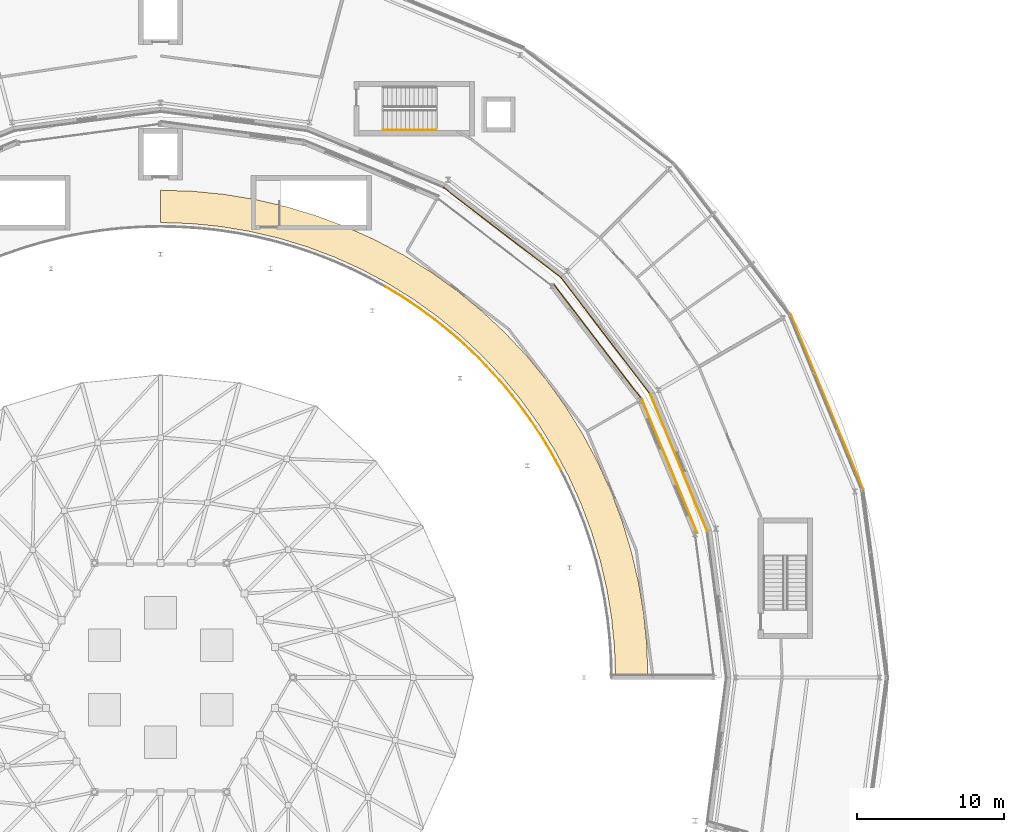
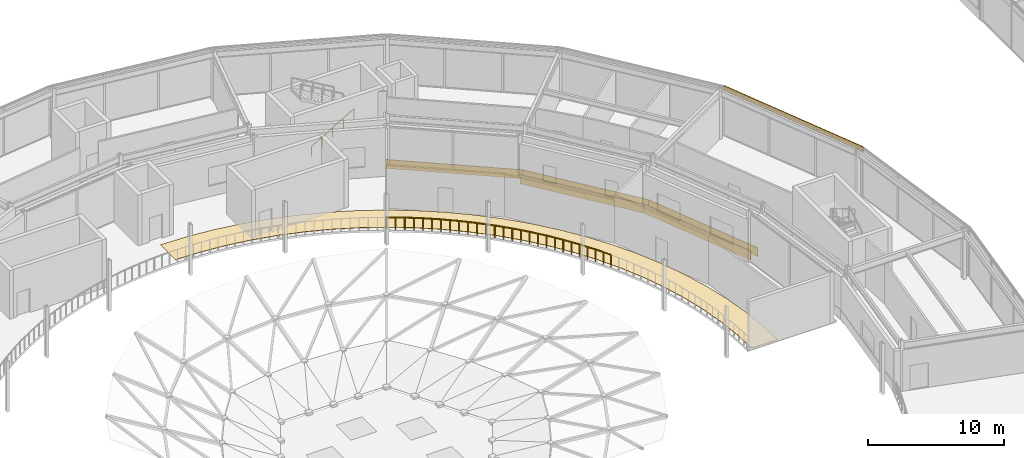
# One storey, part 110 of 116: 14 railings, 7 coverings.
"""IFC4 building model written with IfcOpenShell, lengths in metres."""

from ifc_helpers import new_model, si_unit, direction, frame, origin, origin_2d, place, context, subcontext, project, spatial, polyline, rectangle, circle, outline, extrude, material, layer, layer_set, type_object, element, save


model = new_model("IFC4")

# Units and contexts
model_context = context("Model", 3, precision=1e-05, world=origin(), true_north=direction((0.0, 1.0)))
body_context = subcontext(model_context, "Body", "Model", "MODEL_VIEW")
ifc_project = project(units=[si_unit("LENGTHUNIT", "METRE"), si_unit("AREAUNIT", "SQUARE_METRE"), si_unit("VOLUMEUNIT", "CUBIC_METRE"), si_unit("PLANEANGLEUNIT", "RADIAN"), si_unit("MASSUNIT", "GRAM", prefix="KILO")], contexts=[model_context])

# Site, building, storey
site_placement = place(None, origin())
site = spatial("IfcSite", under=ifc_project, at=site_placement, CompositionType="ELEMENT")
building_placement = place(site_placement, origin())
building = spatial("IfcBuilding", under=site, at=building_placement, Name="Almandine Court Research Institute", CompositionType="ELEMENT")
storey_placement = place(building_placement, frame((0.0, 0.0, 14.35009765625)))
storey = spatial("IfcBuildingStorey", under=building, at=storey_placement, Name="L03", CompositionType="ELEMENT", Elevation=14.35009765625)

# Coverings
ifc_material_1 = material(Name="Extruded Cream-Ochre Seismic Terracotta Spandrel", Category="masonry")
ifc_layer_1 = layer(ifc_material_1, 0.054931640625)
ifc_layer_set_1 = layer_set([ifc_layer_1], Name="Extruded Cream-Ochre Seismic Terracotta Spandrel")
covering_type_1 = type_object("IfcCoveringType", Name="Cov-CLAD-TERR", PredefinedType="CLADDING", material=ifc_layer_set_1)
covering_1_placement = place(storey_placement, frame((132.323974609375, 74.77392578125, 3.97998046875), z_axis=(0.0, 0.0, 1.0), x_axis=(0.382683432365, -0.923879532511, 0.0)))
element("IfcCovering", 1, at=covering_1_placement, inside=storey, type_object=covering_type_1, Name="L03 Drum Stacked Terracotta Ring Band 01", PredefinedType="CLADDING", context=body_context, shape_type="SweptSolid", body=[
    extrude(rectangle(XDim=12.8779296875, YDim=0.054931640625, at=origin_2d()), origin(), (0.0, 0.0, 1.0), 0.419921875),
])
for number, where, z_axis, x_axis, name in (
    (2, (122.25390625, 70.60302734375, 0.02001953125), (0.0, 0.0, 1.0), (-0.382683432365, 0.923879532511, 0.0), "L03 Facade Spandrel Cladding Band 377"),
    (3, (117.27392578125, 79.22998046875, 0.02001953125), (0.0, 0.0, 1.0), (-0.608761429009, 0.793353340291, 0.0), "L03 Facade Spandrel Cladding Band 379"),
    (4, (110.22998046875, 86.27392578125, 0.02001953125), (0.0, 0.0, 1.0), (-0.793353340291, 0.608761429009, 0.0), "L03 Facade Spandrel Cladding Band 381"),
):
    element("IfcCovering", number, at=place(storey_placement, frame(where, z_axis=z_axis, x_axis=x_axis)), inside=storey, type_object=covering_type_1, Name=name, PredefinedType="CLADDING", context=body_context, shape_type="SweptSolid", body=[
        extrude(rectangle(XDim=10.080078125, YDim=0.054931640625, at=origin_2d()), origin(), (0.0, 0.0, 1.0), 0.800048828125),
    ])
covering_2_placement = place(storey_placement, frame((121.64404296875, 70.35009765625, 0.02001953125), z_axis=(0.0, 0.0, 1.0), x_axis=(0.382683432365, -0.923879532511, 0.0)))
element("IfcCovering", 5, at=covering_2_placement, inside=storey, type_object=covering_type_1, Name="L03 Facade Spandrel Cladding Band 464", PredefinedType="CLADDING", context=body_context, shape_type="SweptSolid", body=[
    extrude(rectangle(XDim=9.821044921875, YDim=0.054931640625, at=origin_2d()), origin(), (0.0, 0.0, 1.0), 0.800048828125),
])
covering_3_placement = place(storey_placement, frame((116.7490234375, 78.826904296875, 0.02001953125), z_axis=(0.0, 0.0, 1.0), x_axis=(0.608761429009, -0.793353340291, 0.0)))
element("IfcCovering", 6, at=covering_3_placement, inside=storey, type_object=covering_type_1, Name="L03 Facade Spandrel Cladding Band 465", PredefinedType="CLADDING", context=body_context, shape_type="SweptSolid", body=[
    extrude(rectangle(XDim=9.820068359375, YDim=0.054931640625, at=origin_2d()), origin(), (0.0, 0.0, 1.0), 0.800048828125),
])
ifc_material_2 = material(Name="Honed Andean Basalt Atrium Stone Flooring", Category="masonry")
ifc_layer_2 = layer(ifc_material_2, 0.02001953125)
ifc_layer_set_2 = layer_set([ifc_layer_2], Name="Honed Andean Basalt Atrium Stone Flooring")
covering_type_2 = type_object("IfcCoveringType", Name="Cov-FLR-STONE", PredefinedType="FLOORING", material=ifc_layer_set_2)
covering_4_placement = place(storey_placement, origin())
element("IfcCovering", 7, at=covering_4_placement, inside=storey, type_object=covering_type_2, Name="L03 Atrium Promenade Basalt Stone Flooring", PredefinedType="FLOORING", context=body_context, shape_type="SweptSolid", body=[
    extrude(outline(polyline([(120.14990234375, 56.0), (120.0791015625, 58.16796875), (119.865966796875, 60.326904296875), (119.512939453125, 62.467041015625), (119.02001953125, 64.580078125), (118.39111328125, 66.656005859375), (117.626953125, 68.68603515625), (116.73095703125, 70.662109375), (115.708984375, 72.574951171875), (114.56298828125, 74.4169921875), (113.300048828125, 76.179931640625), (111.923095703125, 77.85693359375), (110.44091796875, 79.44091796875), (108.85693359375, 80.923095703125), (107.179931640625, 82.300048828125), (105.4169921875, 83.56298828125), (103.574951171875, 84.708984375), (101.662109375, 85.73095703125), (99.68603515625, 86.626953125), (97.656005859375, 87.39111328125), (95.580078125, 88.02001953125), (93.467041015625, 88.512939453125), (91.326904296875, 88.865966796875), (89.16796875, 89.0791015625), (87.0, 89.14990234375), (87.0, 86.949951171875), (89.02392578125, 86.884033203125), (91.0400390625, 86.68505859375), (93.0380859375, 86.35498046875), (95.010009765625, 85.89501953125), (96.948974609375, 85.306884765625), (98.843994140625, 84.593994140625), (100.68896484375, 83.758056640625), (102.47509765625, 82.802978515625), (104.195068359375, 81.73388671875), (105.841064453125, 80.553955078125), (107.406982421875, 79.26904296875), (108.885009765625, 77.885009765625), (110.26904296875, 76.406982421875), (111.553955078125, 74.841064453125), (112.73388671875, 73.195068359375), (113.802978515625, 71.47509765625), (114.758056640625, 69.68896484375), (115.593994140625, 67.843994140625), (116.306884765625, 65.948974609375), (116.89501953125, 64.010009765625), (117.35498046875, 62.0380859375), (117.68505859375, 60.0400390625), (117.884033203125, 58.02392578125), (117.949951171875, 56.0), (120.14990234375, 56.0)])), origin(), (0.0, 0.0, 1.0), 0.02001953125),
])

# Railings
ifc_material_3 = material(Name="Powder-Coated Steel Stair and Atrium Balustrade", Category="steel")
railing_type_1 = type_object("IfcRailingType", Name="Rail-GUARD-INT", PredefinedType="BALUSTRADE", material=ifc_material_3)
railing_1_placement = place(storey_placement, frame((114.212890625, 70.166015625, 0.0)))
element("IfcRailing", 8, at=railing_1_placement, inside=storey, type_object=railing_type_1, Name="L03 Atrium Gallery Void Balustrade 012", PredefinedType="BALUSTRADE", context=body_context, shape_type="SweptSolid", body=[
    extrude(circle(Radius=0.02392578125, at=origin_2d()), frame((0.0, 0.0, 1.09619140625), z_axis=(-0.480244463517, 0.87713468479, 0.0), x_axis=(-0.87713468479, -0.480244463517, 0.0)), (0.0, 0.0, 1.0), 1.338623046875),
    extrude(circle(Radius=0.02099609375, at=origin_2d()), origin(), (0.0, 0.0, 1.0), 1.072021484375),
    extrude(circle(Radius=0.02099609375, at=origin_2d()), frame((-0.3212890625, 0.5869140625, 0.0)), (0.0, 0.0, 1.0), 1.072021484375),
    extrude(circle(Radius=0.02099609375, at=origin_2d()), frame((-0.642822265625, 1.174072265625, 0.0)), (0.0, 0.0, 1.0), 1.072021484375),
])
railing_2_placement = place(storey_placement, frame((113.570068359375, 71.340087890625, 0.0)))
element("IfcRailing", 9, at=railing_2_placement, inside=storey, type_object=railing_type_1, Name="L03 Atrium Gallery Void Balustrade 013", PredefinedType="BALUSTRADE", context=body_context, shape_type="SweptSolid", body=[
    extrude(circle(Radius=0.02392578125, at=origin_2d()), frame((0.0, 0.0, 1.09619140625), z_axis=(-0.519316050282, 0.854582260475, 0.0), x_axis=(-0.854582260475, -0.519316050282, 0.0)), (0.0, 0.0, 1.0), 1.33837890625),
    extrude(circle(Radius=0.02099609375, at=origin_2d()), origin(), (0.0, 0.0, 1.0), 1.072021484375),
    extrude(circle(Radius=0.02099609375, at=origin_2d()), frame((-0.34765625, 0.57177734375, 0.0)), (0.0, 0.0, 1.0), 1.072021484375),
    extrude(circle(Radius=0.02099609375, at=origin_2d()), frame((-0.695068359375, 1.143798828125, 0.0)), (0.0, 0.0, 1.0), 1.072021484375),
])
railing_3_placement = place(storey_placement, frame((112.875, 72.48388671875, 0.0)))
element("IfcRailing", 10, at=railing_3_placement, inside=storey, type_object=railing_type_1, Name="L03 Atrium Gallery Void Balustrade 014", PredefinedType="BALUSTRADE", context=body_context, shape_type="SweptSolid", body=[
    extrude(circle(Radius=0.02392578125, at=origin_2d()), frame((0.0, 0.0, 1.09619140625), z_axis=(-0.555163225812, 0.831741421781, 0.0), x_axis=(-0.831741421781, -0.555163225812, 0.0)), (0.0, 0.0, 1.0), 1.338134765625),
    extrude(circle(Radius=0.02099609375, at=origin_2d()), origin(), (0.0, 0.0, 1.0), 1.072021484375),
    extrude(circle(Radius=0.02099609375, at=origin_2d()), frame((-0.37158203125, 0.556640625, 0.0)), (0.0, 0.0, 1.0), 1.072021484375),
    extrude(circle(Radius=0.02099609375, at=origin_2d()), frame((-0.742919921875, 1.113037109375, 0.0)), (0.0, 0.0, 1.0), 1.072021484375),
])
railing_4_placement = place(storey_placement, frame((112.132080078125, 73.596923828125, 0.0)))
element("IfcRailing", 11, at=railing_4_placement, inside=storey, type_object=railing_type_1, Name="L03 Atrium Gallery Void Balustrade 015", PredefinedType="BALUSTRADE", context=body_context, shape_type="SweptSolid", body=[
    extrude(circle(Radius=0.02392578125, at=origin_2d()), frame((0.0, 0.0, 1.09619140625), z_axis=(-0.591332053084, 0.806428175969, 0.0), x_axis=(-0.806428175969, -0.591332053084, 0.0)), (0.0, 0.0, 1.0), 1.33935546875),
    extrude(circle(Radius=0.02099609375, at=origin_2d()), origin(), (0.0, 0.0, 1.0), 1.072021484375),
    extrude(circle(Radius=0.02099609375, at=origin_2d()), frame((-0.39599609375, 0.5400390625, 0.0)), (0.0, 0.0, 1.0), 1.072021484375),
    extrude(circle(Radius=0.02099609375, at=origin_2d()), frame((-0.7919921875, 1.080078125, 0.0)), (0.0, 0.0, 1.0), 1.072021484375),
])
railing_5_placement = place(storey_placement, frame((111.340087890625, 74.677001953125, 0.0)))
element("IfcRailing", 12, at=railing_5_placement, inside=storey, type_object=railing_type_1, Name="L03 Atrium Gallery Void Balustrade 016", PredefinedType="BALUSTRADE", context=body_context, shape_type="SweptSolid", body=[
    extrude(circle(Radius=0.02392578125, at=origin_2d()), frame((0.0, 0.0, 1.09619140625), z_axis=(-0.626050704438, 0.779782351347, 0.0), x_axis=(-0.779782351347, -0.626050704438, 0.0)), (0.0, 0.0, 1.0), 1.3388671875),
    extrude(circle(Radius=0.02099609375, at=origin_2d()), origin(), (0.0, 0.0, 1.0), 1.072021484375),
    extrude(circle(Radius=0.02099609375, at=origin_2d()), frame((-0.4189453125, 0.52197265625, 0.0)), (0.0, 0.0, 1.0), 1.072021484375),
    extrude(circle(Radius=0.02099609375, at=origin_2d()), frame((-0.838134765625, 1.0439453125, 0.0)), (0.0, 0.0, 1.0), 1.072021484375),
])
railing_6_placement = place(storey_placement, frame((110.501953125, 75.720947265625, 0.0)))
element("IfcRailing", 13, at=railing_6_placement, inside=storey, type_object=railing_type_1, Name="L03 Atrium Gallery Void Balustrade 017", PredefinedType="BALUSTRADE", context=body_context, shape_type="SweptSolid", body=[
    extrude(circle(Radius=0.02392578125, at=origin_2d()), frame((0.0, 0.0, 1.09619140625), z_axis=(-0.659137421747, 0.752022512464, 0.0), x_axis=(-0.752022512464, -0.659137421747, 0.0)), (0.0, 0.0, 1.0), 1.337890625),
    extrude(circle(Radius=0.02099609375, at=origin_2d()), origin(), (0.0, 0.0, 1.0), 1.072021484375),
    extrude(circle(Radius=0.02099609375, at=origin_2d()), frame((-0.44091796875, 0.5029296875, 0.0)), (0.0, 0.0, 1.0), 1.072021484375),
    extrude(circle(Radius=0.02099609375, at=origin_2d()), frame((-0.8818359375, 1.006103515625, 0.0)), (0.0, 0.0, 1.0), 1.072021484375),
])
railing_7_placement = place(storey_placement, frame((109.6201171875, 76.72705078125, 0.0)))
element("IfcRailing", 14, at=railing_7_placement, inside=storey, type_object=railing_type_1, Name="L03 Atrium Gallery Void Balustrade 018", PredefinedType="BALUSTRADE", context=body_context, shape_type="SweptSolid", body=[
    extrude(circle(Radius=0.02392578125, at=origin_2d()), frame((0.0, 0.0, 1.09619140625), z_axis=(-0.691624124173, 0.722257620841, 0.0), x_axis=(-0.722257620841, -0.691624124173, 0.0)), (0.0, 0.0, 1.0), 1.3388671875),
    extrude(circle(Radius=0.02099609375, at=origin_2d()), origin(), (0.0, 0.0, 1.0), 1.072021484375),
    extrude(circle(Radius=0.02099609375, at=origin_2d()), frame((-0.462890625, 0.4833984375, 0.0)), (0.0, 0.0, 1.0), 1.072021484375),
    extrude(circle(Radius=0.02099609375, at=origin_2d()), frame((-0.926025390625, 0.967041015625, 0.0)), (0.0, 0.0, 1.0), 1.072021484375),
])
railing_8_placement = place(storey_placement, frame((108.694091796875, 77.694091796875, 0.0)))
element("IfcRailing", 15, at=railing_8_placement, inside=storey, type_object=railing_type_1, Name="L03 Atrium Gallery Void Balustrade 019", PredefinedType="BALUSTRADE", context=body_context, shape_type="SweptSolid", body=[
    extrude(circle(Radius=0.02392578125, at=origin_2d()), frame((0.0, 0.0, 1.09619140625), z_axis=(-0.722257620841, 0.691624124173, 0.0), x_axis=(-0.691624124173, -0.722257620841, 0.0)), (0.0, 0.0, 1.0), 1.3388671875),
    extrude(circle(Radius=0.02099609375, at=origin_2d()), origin(), (0.0, 0.0, 1.0), 1.072021484375),
    extrude(circle(Radius=0.02099609375, at=origin_2d()), frame((-0.4833984375, 0.462890625, 0.0)), (0.0, 0.0, 1.0), 1.072021484375),
    extrude(circle(Radius=0.02099609375, at=origin_2d()), frame((-0.967041015625, 0.926025390625, 0.0)), (0.0, 0.0, 1.0), 1.072021484375),
])
railing_9_placement = place(storey_placement, frame((107.72705078125, 78.6201171875, 0.0)))
element("IfcRailing", 16, at=railing_9_placement, inside=storey, type_object=railing_type_1, Name="L03 Atrium Gallery Void Balustrade 020", PredefinedType="BALUSTRADE", context=body_context, shape_type="SweptSolid", body=[
    extrude(circle(Radius=0.02392578125, at=origin_2d()), frame((0.0, 0.0, 1.09619140625), z_axis=(-0.752022512464, 0.659137421747, 0.0), x_axis=(-0.659137421747, -0.752022512464, 0.0)), (0.0, 0.0, 1.0), 1.337890625),
    extrude(circle(Radius=0.02099609375, at=origin_2d()), origin(), (0.0, 0.0, 1.0), 1.072021484375),
    extrude(circle(Radius=0.02099609375, at=origin_2d()), frame((-0.5029296875, 0.44091796875, 0.0)), (0.0, 0.0, 1.0), 1.072021484375),
    extrude(circle(Radius=0.02099609375, at=origin_2d()), frame((-1.006103515625, 0.8818359375, 0.0)), (0.0, 0.0, 1.0), 1.072021484375),
])
railing_10_placement = place(storey_placement, frame((106.720947265625, 79.501953125, 0.0)))
element("IfcRailing", 17, at=railing_10_placement, inside=storey, type_object=railing_type_1, Name="L03 Atrium Gallery Void Balustrade 021", PredefinedType="BALUSTRADE", context=body_context, shape_type="SweptSolid", body=[
    extrude(circle(Radius=0.02392578125, at=origin_2d()), frame((0.0, 0.0, 1.09619140625), z_axis=(-0.779782351347, 0.626050704438, 0.0), x_axis=(-0.626050704438, -0.779782351347, 0.0)), (0.0, 0.0, 1.0), 1.3388671875),
    extrude(circle(Radius=0.02099609375, at=origin_2d()), origin(), (0.0, 0.0, 1.0), 1.072021484375),
    extrude(circle(Radius=0.02099609375, at=origin_2d()), frame((-0.52197265625, 0.4189453125, 0.0)), (0.0, 0.0, 1.0), 1.072021484375),
    extrude(circle(Radius=0.02099609375, at=origin_2d()), frame((-1.0439453125, 0.838134765625, 0.0)), (0.0, 0.0, 1.0), 1.072021484375),
])
railing_11_placement = place(storey_placement, frame((105.677001953125, 80.340087890625, 0.0)))
element("IfcRailing", 18, at=railing_11_placement, inside=storey, type_object=railing_type_1, Name="L03 Atrium Gallery Void Balustrade 022", PredefinedType="BALUSTRADE", context=body_context, shape_type="SweptSolid", body=[
    extrude(circle(Radius=0.02392578125, at=origin_2d()), frame((0.0, 0.0, 1.09619140625), z_axis=(-0.806428175969, 0.591332053084, 0.0), x_axis=(-0.591332053084, -0.806428175969, 0.0)), (0.0, 0.0, 1.0), 1.33935546875),
    extrude(circle(Radius=0.02099609375, at=origin_2d()), origin(), (0.0, 0.0, 1.0), 1.072021484375),
    extrude(circle(Radius=0.02099609375, at=origin_2d()), frame((-0.5400390625, 0.39599609375, 0.0)), (0.0, 0.0, 1.0), 1.072021484375),
    extrude(circle(Radius=0.02099609375, at=origin_2d()), frame((-1.080078125, 0.7919921875, 0.0)), (0.0, 0.0, 1.0), 1.072021484375),
])
railing_12_placement = place(storey_placement, frame((104.596923828125, 81.132080078125, 0.0)))
element("IfcRailing", 19, at=railing_12_placement, inside=storey, type_object=railing_type_1, Name="L03 Atrium Gallery Void Balustrade 023", PredefinedType="BALUSTRADE", context=body_context, shape_type="SweptSolid", body=[
    extrude(circle(Radius=0.02392578125, at=origin_2d()), frame((0.0, 0.0, 1.09619140625), z_axis=(-0.831741421781, 0.555163225812, 0.0), x_axis=(-0.555163225812, -0.831741421781, 0.0)), (0.0, 0.0, 1.0), 1.338134765625),
    extrude(circle(Radius=0.02099609375, at=origin_2d()), origin(), (0.0, 0.0, 1.0), 1.072021484375),
    extrude(circle(Radius=0.02099609375, at=origin_2d()), frame((-0.556640625, 0.37158203125, 0.0)), (0.0, 0.0, 1.0), 1.072021484375),
    extrude(circle(Radius=0.02099609375, at=origin_2d()), frame((-1.113037109375, 0.742919921875, 0.0)), (0.0, 0.0, 1.0), 1.072021484375),
])
railing_13_placement = place(storey_placement, frame((103.48388671875, 81.875, 0.0)))
element("IfcRailing", 20, at=railing_13_placement, inside=storey, type_object=railing_type_1, Name="L03 Atrium Gallery Void Balustrade 024", PredefinedType="BALUSTRADE", context=body_context, shape_type="SweptSolid", body=[
    extrude(circle(Radius=0.02392578125, at=origin_2d()), frame((0.0, 0.0, 1.09619140625), z_axis=(-0.854582260475, 0.519316050282, 0.0), x_axis=(-0.519316050282, -0.854582260475, 0.0)), (0.0, 0.0, 1.0), 1.33837890625),
    extrude(circle(Radius=0.02099609375, at=origin_2d()), origin(), (0.0, 0.0, 1.0), 1.072021484375),
    extrude(circle(Radius=0.02099609375, at=origin_2d()), frame((-0.57177734375, 0.34765625, 0.0)), (0.0, 0.0, 1.0), 1.072021484375),
    extrude(circle(Radius=0.02099609375, at=origin_2d()), frame((-1.143798828125, 0.695068359375, 0.0)), (0.0, 0.0, 1.0), 1.072021484375),
])
ifc_material_4 = material(Name="Brushed Stainless Steel Wall Handrail", Category="steel")
railing_type_2 = type_object("IfcRailingType", Name="Rail-HAND-INT", PredefinedType="HANDRAIL", material=ifc_material_4)
railing_14_placement = place(storey_placement, frame((102.14990234375, 93.25, 0.1748046875)))
element("IfcRailing", 21, at=railing_14_placement, inside=storey, type_object=railing_type_2, Name="L03 ST-09 stair handrail 1", PredefinedType="HANDRAIL", context=body_context, shape_type="SweptSolid", body=[
    extrude(circle(Radius=0.02392578125, at=origin_2d()), frame((0.0, 0.0, 0.8759765625), z_axis=(0.863774651768, 0.0, 0.503878309678), x_axis=(0.0, 1.0, 0.0)), (0.0, 0.0, 1.0), 4.16796875),
    extrude(circle(Radius=0.02099609375, at=origin_2d()), origin(), (0.0, 0.0, 1.0), 0.851806640625),
    extrude(circle(Radius=0.02099609375, at=origin_2d()), frame((0.89990234375, 0.0, 0.52490234375)), (0.0, 0.0, 1.0), 0.851806640625),
    extrude(circle(Radius=0.02099609375, at=origin_2d()), frame((1.800048828125, 0.0, 1.050048828125)), (0.0, 0.0, 1.0), 0.851806640625),
    extrude(circle(Radius=0.02099609375, at=origin_2d()), frame((2.7001953125, 0.0, 1.5751953125)), (0.0, 0.0, 1.0), 0.851806640625),
    extrude(circle(Radius=0.02099609375, at=origin_2d()), frame((3.60009765625, 0.0, 2.10009765625)), (0.0, 0.0, 1.0), 0.851806640625),
])

save(model, "model.ifc")
